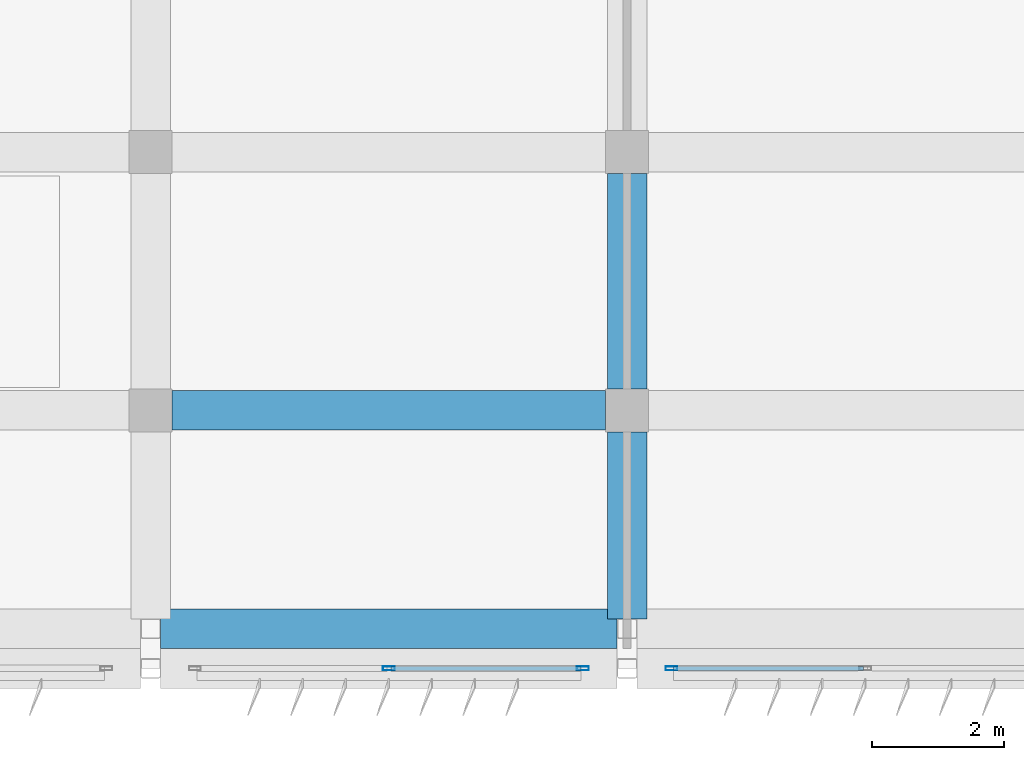
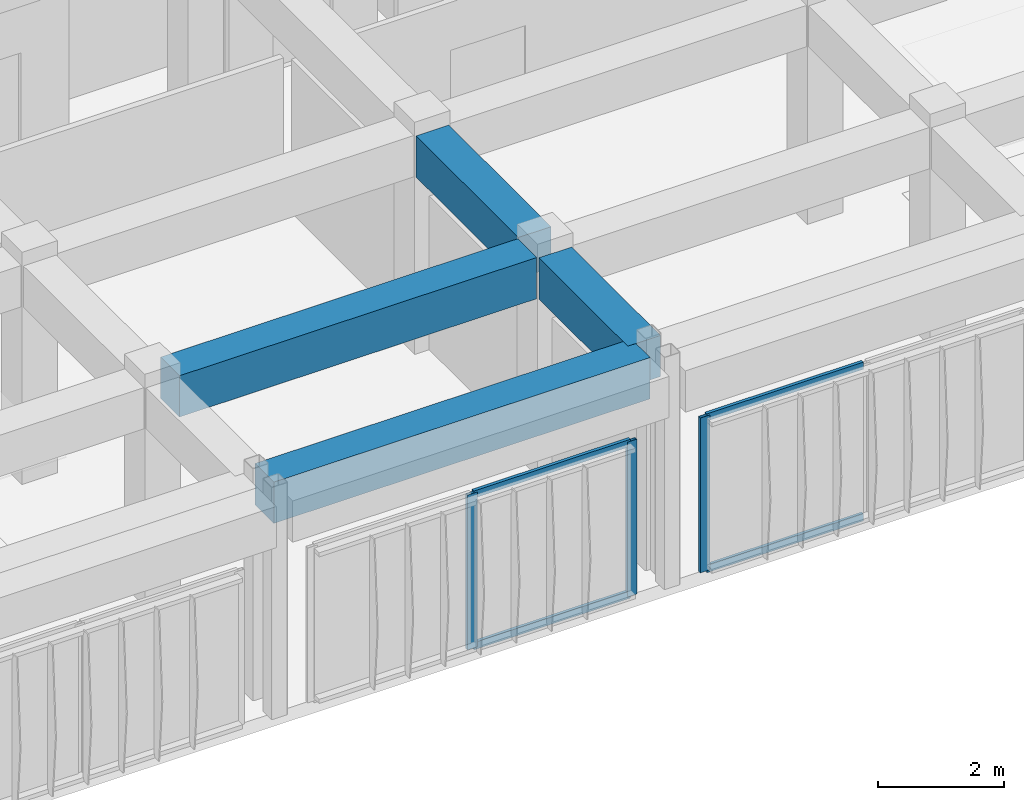
# One storey, part 8 of 56: 7 members, 4 beams, 2 elements without a shape of their own.
"""IFC4 building model written with IfcOpenShell, lengths in metres."""

from ifc_helpers import new_model, si_unit, direction, frame, origin, origin_2d, place, context, subcontext, project, spatial, rectangle, hollow_rectangle, extrude, material, material_profile, profile_set, type_object, element, aggregate, save


model = new_model("IFC4")

# Units and contexts
model_context = context("Model", 3, precision=1e-05, world=origin(), true_north=direction((0.0, 1.0)))
body_context = subcontext(model_context, "Body", "Model", "MODEL_VIEW")
ifc_project = project(units=[si_unit("LENGTHUNIT", "METRE"), si_unit("AREAUNIT", "SQUARE_METRE"), si_unit("VOLUMEUNIT", "CUBIC_METRE"), si_unit("PLANEANGLEUNIT", "RADIAN"), si_unit("MASSUNIT", "GRAM", prefix="KILO")], contexts=[model_context])

# Site, building, storey
site_placement = place(None, origin())
site = spatial("IfcSite", under=ifc_project, at=site_placement, CompositionType="ELEMENT")
building_placement = place(site_placement, origin())
building = spatial("IfcBuilding", under=site, at=building_placement, Name="Kazehaya Institute of Natural Sciences", CompositionType="ELEMENT")
storey_placement = place(building_placement, frame((0.0, 0.0, 28.800048828125)))
storey = spatial("IfcBuildingStorey", under=building, at=storey_placement, Name="L06", CompositionType="ELEMENT", Elevation=28.800048828125)

# Beams
ifc_material_1 = material(Name="Concrete Fc36", Category="concrete")
ifc_material_profile_1 = material_profile(ifc_material_1, rectangle(XDim=0.60009765625, YDim=0.800048828125, at=origin_2d()), Name="RC-600x800")
ifc_profile_set_1 = profile_set([ifc_material_profile_1], Name="Concrete Fc36")
beam_type = type_object("IfcBeamType", Name="BM-G-600x800", PredefinedType="BEAM", material=ifc_profile_set_1)
beam_1_placement = place(storey_placement, frame((69.14990234375, 6.800048828125, 3.829833984375), z_axis=(1.0, 0.0, 0.0), x_axis=(0.0, 1.0, 0.0)))
element("IfcBeam", 1, at=beam_1_placement, inside=storey, type_object=beam_type, Name="L06 primary X girder BMX-L06-690-68", PredefinedType="BEAM", context=body_context, shape_type="SweptSolid", body=[
    extrude(rectangle(XDim=0.60009765625, YDim=0.800048828125, at=origin_2d()), origin(), (0.0, 0.0, 1.0), 6.900146484375),
])
beam_2_placement = place(storey_placement, frame((69.324951171875, 10.10009765625, 3.829833984375), z_axis=(1.0, 0.0, 0.0), x_axis=(0.0, 1.0, 0.0)))
element("IfcBeam", 2, at=beam_2_placement, inside=storey, type_object=beam_type, Name="L06 primary X girder BMX-L06-690-101", PredefinedType="BEAM", context=body_context, shape_type="SweptSolid", body=[
    extrude(rectangle(XDim=0.60009765625, YDim=0.800048828125, at=origin_2d()), origin(), (0.0, 0.0, 1.0), 6.550048828125),
])
beam_3_placement = place(storey_placement, frame((76.199951171875, 6.949951171875, 3.829833984375), z_axis=(0.0, 1.0, 0.0), x_axis=(-1.0, 0.0, 0.0)))
element("IfcBeam", 3, at=beam_3_placement, inside=storey, type_object=beam_type, Name="L06 primary Y girder BMY-L06-762-68", PredefinedType="BEAM", context=body_context, shape_type="SweptSolid", body=[
    extrude(rectangle(XDim=0.60009765625, YDim=0.800048828125, at=origin_2d()), origin(), (0.0, 0.0, 1.0), 2.824951171875),
])
beam_4_placement = place(storey_placement, frame((76.199951171875, 10.425048828125, 3.829833984375), z_axis=(0.0, 1.0, 0.0), x_axis=(-1.0, 0.0, 0.0)))
element("IfcBeam", 4, at=beam_4_placement, inside=storey, type_object=beam_type, Name="L06 primary Y girder BMY-L06-762-101", PredefinedType="BEAM", context=body_context, shape_type="SweptSolid", body=[
    extrude(rectangle(XDim=0.60009765625, YDim=0.800048828125, at=origin_2d()), origin(), (0.0, 0.0, 1.0), 3.25),
])

# Curtain wall, member
ifc_material_2 = material(Name="Aluminium alloy A6063S-T5", Category="aluminium")
curtain_wall_type = type_object("IfcCurtainWallType", Name="CW-SYS-04", PredefinedType="NOTDEFINED", material=ifc_material_2)
curtain_wall_1_placement = place(storey_placement, origin())
curtain_wall_1 = element("IfcCurtainWall", 5, at=curtain_wall_1_placement, inside=storey, type_object=curtain_wall_type, Name="L06 unitised curtain wall CW-L06-125", PredefinedType="NOTDEFINED")
ifc_material_profile_2 = material_profile(ifc_material_2, hollow_rectangle(XDim=0.06005859375, YDim=0.179931640625, WallThickness=0.00390625, at=origin_2d()), Name="ALU-60x180x4")
ifc_profile_set_2 = profile_set([ifc_material_profile_2], Name="Aluminium alloy A6063S-T5")
member_type_1 = type_object("IfcMemberType", Name="CWM-180", PredefinedType="MULLION", material=ifc_profile_set_2)
member_1_placement = place(storey_placement, frame((76.8701171875, 6.199951171875, 0.0), z_axis=(0.0, 0.0, 1.0), x_axis=(0.0, -1.0, 0.0)))
member_1 = element("IfcMember", 6, at=member_1_placement, type_object=member_type_1, Name="CW04 mullion 3", PredefinedType="MULLION", context=body_context, shape_type="SweptSolid", body=[
    extrude(hollow_rectangle(XDim=0.06005859375, YDim=0.179931640625, WallThickness=0.00390625, at=origin_2d()), origin(), (0.0, 0.0, 1.0), 3.0),
])

# Curtain wall, members
curtain_wall_2_placement = place(storey_placement, origin())
curtain_wall_2 = element("IfcCurtainWall", 7, at=curtain_wall_2_placement, inside=storey, type_object=curtain_wall_type, Name="L06 unitised curtain wall CW-L06-126", PredefinedType="NOTDEFINED")
member_2_placement = place(storey_placement, frame((75.530029296875, 6.199951171875, 0.0), z_axis=(0.0, 0.0, 1.0), x_axis=(0.0, -1.0, 0.0)))
member_2 = element("IfcMember", 8, at=member_2_placement, type_object=member_type_1, Name="CW04 mullion 1", PredefinedType="MULLION", context=body_context, shape_type="SweptSolid", body=[
    extrude(hollow_rectangle(XDim=0.06005859375, YDim=0.179931640625, WallThickness=0.00390625, at=origin_2d()), origin(), (0.0, 0.0, 1.0), 3.0),
])
member_3_placement = place(storey_placement, frame((72.60009765625, 6.199951171875, 0.0), z_axis=(0.0, 0.0, 1.0), x_axis=(0.0, -1.0, 0.0)))
member_3 = element("IfcMember", 9, at=member_3_placement, type_object=member_type_1, Name="CW04 mullion 2", PredefinedType="MULLION", context=body_context, shape_type="SweptSolid", body=[
    extrude(hollow_rectangle(XDim=0.06005859375, YDim=0.179931640625, WallThickness=0.00390625, at=origin_2d()), origin(), (0.0, 0.0, 1.0), 3.0),
])

# Member
ifc_material_profile_3 = material_profile(ifc_material_2, hollow_rectangle(XDim=0.06005859375, YDim=0.139892578125, WallThickness=0.00341796875, at=origin_2d()), Name="ALU-60x140x3.5")
ifc_profile_set_3 = profile_set([ifc_material_profile_3], Name="Aluminium alloy A6063S-T5")
member_type_2 = type_object("IfcMemberType", Name="CWT-140", PredefinedType="USERDEFINED", material=ifc_profile_set_3)
member_4_placement = place(storey_placement, frame((79.77001953125, 6.199951171875, 0.030029296875), z_axis=(-1.0, 0.0, 0.0), x_axis=(0.0, -1.0, 0.0)))
member_4 = element("IfcMember", 10, at=member_4_placement, type_object=member_type_2, Name="CW04 transom 2.1", ObjectType="TRANSOM", PredefinedType="USERDEFINED", context=body_context, shape_type="SweptSolid", body=[
    extrude(hollow_rectangle(XDim=0.06005859375, YDim=0.139892578125, WallThickness=0.00341796875, at=origin_2d()), origin(), (0.0, 0.0, 1.0), 2.8701171875),
])

member_5_placement = place(storey_placement, frame((79.77001953125, 6.199951171875, 2.969970703125), z_axis=(-1.0, 0.0, 0.0), x_axis=(0.0, -1.0, 0.0)))
member_5 = element("IfcMember", 11, at=member_5_placement, type_object=member_type_2, Name="CW04 transom 2.2", ObjectType="TRANSOM", PredefinedType="USERDEFINED", context=body_context, shape_type="SweptSolid", body=[
    extrude(hollow_rectangle(XDim=0.06005859375, YDim=0.139892578125, WallThickness=0.00341796875, at=origin_2d()), origin(), (0.0, 0.0, 1.0), 2.8701171875),
])

aggregate(curtain_wall_1, [member_1, member_4, member_5])

member_6_placement = place(storey_placement, frame((75.5, 6.199951171875, 0.030029296875), z_axis=(-1.0, 0.0, 0.0), x_axis=(0.0, -1.0, 0.0)))
member_6 = element("IfcMember", 12, at=member_6_placement, type_object=member_type_2, Name="CW04 transom 1.1", ObjectType="TRANSOM", PredefinedType="USERDEFINED", context=body_context, shape_type="SweptSolid", body=[
    extrude(hollow_rectangle(XDim=0.06005859375, YDim=0.139892578125, WallThickness=0.00341796875, at=origin_2d()), origin(), (0.0, 0.0, 1.0), 2.8701171875),
])

member_7_placement = place(storey_placement, frame((75.5, 6.199951171875, 2.969970703125), z_axis=(-1.0, 0.0, 0.0), x_axis=(0.0, -1.0, 0.0)))
member_7 = element("IfcMember", 13, at=member_7_placement, type_object=member_type_2, Name="CW04 transom 1.2", ObjectType="TRANSOM", PredefinedType="USERDEFINED", context=body_context, shape_type="SweptSolid", body=[
    extrude(hollow_rectangle(XDim=0.06005859375, YDim=0.139892578125, WallThickness=0.00341796875, at=origin_2d()), origin(), (0.0, 0.0, 1.0), 2.8701171875),
])

aggregate(curtain_wall_2, [member_2, member_3, member_6, member_7])

save(model, "model.ifc")
